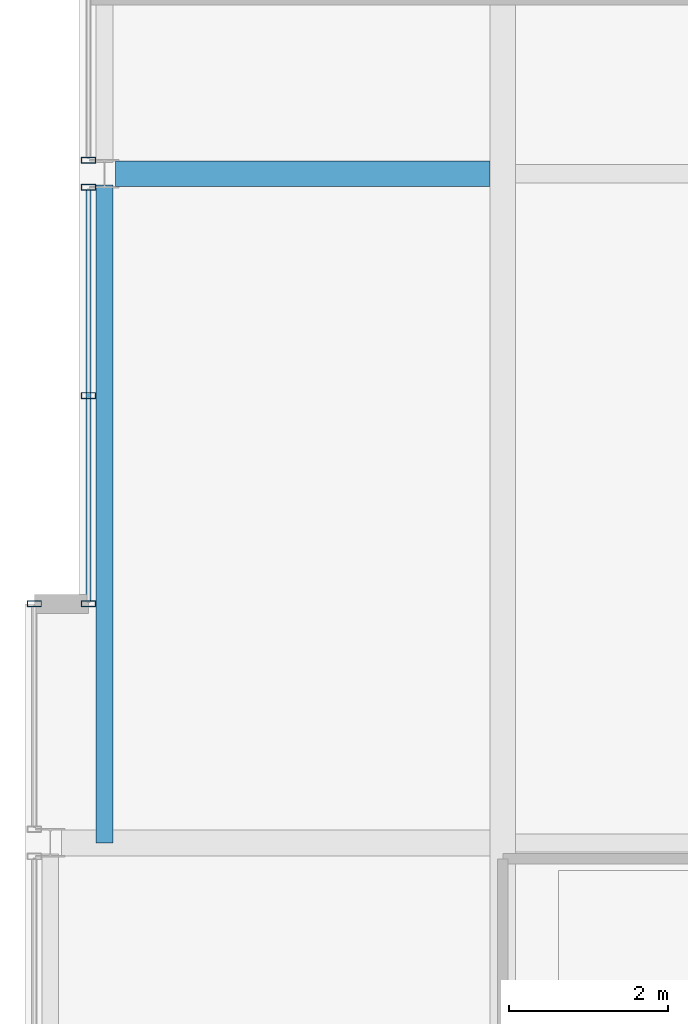
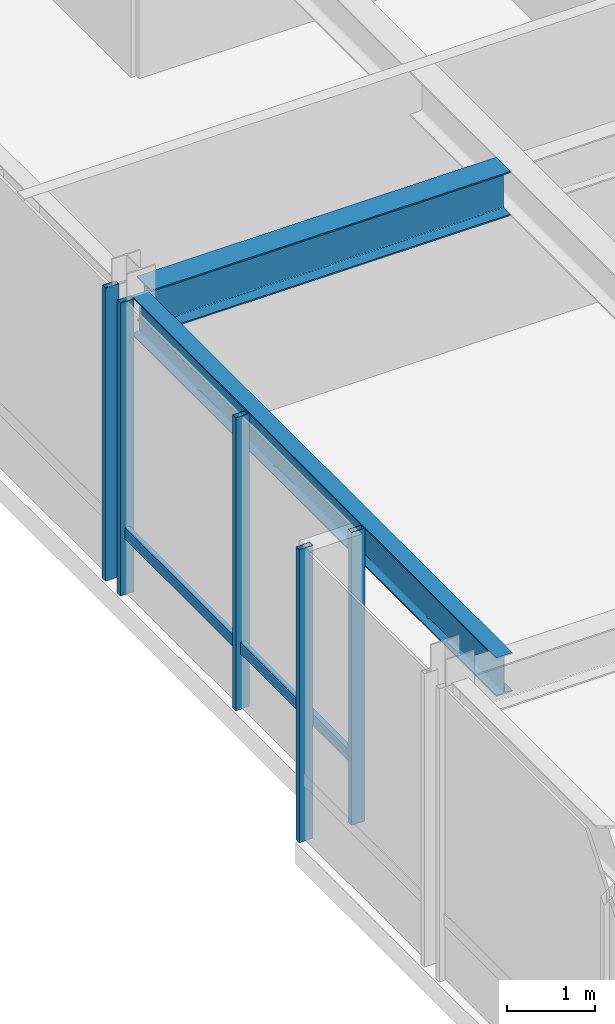
# One storey, part 12 of 33: 6 members, 2 beams, 3 elements without a shape of their own.
"""IFC4 building model written with IfcOpenShell, lengths in metres."""

import ifcopenshell
import ifcopenshell.guid

model = None  # the IFC model being written
_history = None  # IfcOwnerHistory: only IFC2X3 demands one
_inside = {}  # id of a spatial element -> (the spatial element, [elements in it])
_under = {}  # id of a project, library or spatial element -> (it, [spatial elements below it])
_declared = {}  # id of a project -> (the project, [libraries it declares])
_typed = {}  # id of a type object -> (the type object, [elements of that type])
_made_of = {}  # id of a material, layer set ... -> (it, [elements and type objects made of it])


def new_model(schema):
    """Start an empty IFC model of exactly this schema.

    Asked for "IFC4X3", IfcOpenShell would pick the latest addendum, in which some entities
    have other attributes; the version numbers below select the first issue.
    IFC2X3 requires an IfcOwnerHistory on every rooted entity: one is made here for all.
    """
    global model, _history
    if schema == "IFC4X3":
        model = ifcopenshell.file(schema_version=(4, 3, 0, 0))
    else:
        model = ifcopenshell.file(schema=schema)
    _inside.clear()
    _under.clear()
    _declared.clear()
    _typed.clear()
    _made_of.clear()
    _history = None
    if model.schema == "IFC2X3":
        org = make("IfcOrganization", Name="unknown")
        user = make(
            "IfcPersonAndOrganization",
            ThePerson=make("IfcPerson", FamilyName="unknown"),
            TheOrganization=org,
        )
        app = make(
            "IfcApplication",
            ApplicationDeveloper=org,
            Version="unknown",
            ApplicationFullName="unknown",
            ApplicationIdentifier="unknown",
        )
        _history = make(
            "IfcOwnerHistory",
            OwningUser=user,
            OwningApplication=app,
            ChangeAction="ADDED",
            CreationDate=0,
        )
    return model


def make(cls, **values):
    """One entity of the class cls with the attributes given. An attribute that is None is left unset."""
    return model.create_entity(
        cls, **{name: value for name, value in values.items() if value is not None}
    )


def rooted(cls, **values):
    """An entity with a GlobalId (a new one), such as an element, a storey or a relation."""
    return make(cls, GlobalId=ifcopenshell.guid.new(), OwnerHistory=_history, **values)


def si_unit(unit_type, name, prefix=None):
    """IfcSIUnit, for example si_unit("LENGTHUNIT", "METRE", prefix="MILLI")."""
    return make("IfcSIUnit", UnitType=unit_type, Prefix=prefix, Name=name)


def assignment(units):
    """IfcUnitAssignment: the units of a project."""
    return None if units is None else make("IfcUnitAssignment", Units=units)


def point(xyz):
    """IfcCartesianPoint."""
    return None if xyz is None else make("IfcCartesianPoint", Coordinates=xyz)


def direction(xyz):
    """IfcDirection."""
    return None if xyz is None else make("IfcDirection", DirectionRatios=xyz)


def frame(location, z_axis=None, x_axis=None):
    """IfcAxis2Placement3D, a coordinate frame: its origin and axes. An axis left out is left unset."""
    return make(
        "IfcAxis2Placement3D",
        Location=point(location),
        Axis=direction(z_axis),
        RefDirection=direction(x_axis),
    )


def frame_2d(location, x_axis=None):
    """IfcAxis2Placement2D, a coordinate frame in the plane: its origin and x axis."""
    return make(
        "IfcAxis2Placement2D", Location=point(location), RefDirection=direction(x_axis)
    )


def origin():
    """The frame at (0, 0, 0) with its axes left unset."""
    return frame((0.0, 0.0, 0.0))


def origin_2d():
    """The frame at (0, 0) in the plane with its x axis left unset."""
    return frame_2d((0.0, 0.0))


def place(relative_to, where):
    """IfcLocalPlacement: puts the frame where relative to a parent placement (None: the world)."""
    return make(
        "IfcLocalPlacement", PlacementRelTo=relative_to, RelativePlacement=where
    )


def context(
    kind, dimensions, precision=None, world=None, true_north=None, identifier=None
):
    """IfcGeometricRepresentationContext, for example the 3D "Model" context."""
    return make(
        "IfcGeometricRepresentationContext",
        ContextIdentifier=identifier,
        ContextType=kind,
        CoordinateSpaceDimension=dimensions,
        Precision=precision,
        WorldCoordinateSystem=world,
        TrueNorth=true_north,
    )


def subcontext(parent, identifier, kind, view, scale=None):
    """IfcGeometricRepresentationSubContext, for example "Body" below "Model"."""
    return make(
        "IfcGeometricRepresentationSubContext",
        ContextIdentifier=identifier,
        ContextType=kind,
        ParentContext=parent,
        TargetScale=scale,
        TargetView=view,
    )


def project(units=None, contexts=None):
    """IfcProject with its units and contexts."""
    return rooted(
        "IfcProject",
        Name="project",
        RepresentationContexts=contexts,
        UnitsInContext=assignment(units),
    )


def spatial(cls, under=None, at=None, **own):
    """A site, building, storey or space (cls), placed at a placement, below another one or the project."""
    s = rooted(cls, ObjectPlacement=at, **own)
    if under is not None:
        _under.setdefault(under.id(), (under, []))[1].append(s)
    return s


def profile(cls, at=None, kind="AREA", **sizes):
    """A parametric profile (cls). Its sizes go by their IFC names, for example OverallWidth=200.0."""
    return make(cls, ProfileType=kind, Position=at, **sizes)


def hollow_rectangle(**sizes):
    """IfcRectangleHollowProfileDef."""
    return profile("IfcRectangleHollowProfileDef", **sizes)


def i_section(**sizes):
    """IfcIShapeProfileDef."""
    return profile("IfcIShapeProfileDef", **sizes)


def extrude(swept, where, along, depth):
    """IfcExtrudedAreaSolid: the profile swept, set in the frame where, extruded along a direction by depth."""
    return make(
        "IfcExtrudedAreaSolid",
        SweptArea=swept,
        Position=where,
        ExtrudedDirection=direction(along),
        Depth=depth,
    )


def shape(context_of_items, identifier, shape_type, items):
    """IfcShapeRepresentation: the items that make up one representation, for example the "Body"."""
    return make(
        "IfcShapeRepresentation",
        ContextOfItems=context_of_items,
        RepresentationIdentifier=identifier,
        RepresentationType=shape_type,
        Items=items,
    )


def material(Name=None, Category=None):
    """IfcMaterial."""
    return make("IfcMaterial", Name=Name, Category=Category)


def layer(
    of_material, thickness, ventilated=None, Name=None, Category=None, Priority=None
):
    """IfcMaterialLayer: one layer of a wall or slab, of a material (None: an air gap)."""
    return make(
        "IfcMaterialLayer",
        Material=of_material,
        LayerThickness=thickness,
        IsVentilated=ventilated,
        Name=Name,
        Category=Category,
        Priority=Priority,
    )


def layer_set(layers, Name=None):
    """IfcMaterialLayerSet."""
    return make("IfcMaterialLayerSet", MaterialLayers=layers, LayerSetName=Name)


def material_profile(
    of_material, cross_section, Name=None, Category=None, Priority=None
):
    """IfcMaterialProfile: a cross section and its material."""
    return make(
        "IfcMaterialProfile",
        Name=Name,
        Material=of_material,
        Profile=cross_section,
        Priority=Priority,
        Category=Category,
    )


def profile_set(profiles, Name=None, composite=None):
    """IfcMaterialProfileSet."""
    return make(
        "IfcMaterialProfileSet",
        Name=Name,
        MaterialProfiles=profiles,
        CompositeProfile=composite,
    )


def made_of(thing, what):
    """Note that an element or type object is made of a material, layer set ...; save() writes the relation."""
    if what is not None:
        _made_of.setdefault(what.id(), (what, []))[1].append(thing)
    return thing


def type_object(cls, material=None, **own):
    """A type object (cls), such as IfcWallType, which elements share."""
    return made_of(rooted(cls, **own), material)


def element(
    cls,
    number,
    at=None,
    inside=None,
    cuts=None,
    type_object=None,
    material=None,
    context=None,
    identifier="Body",
    shape_type=None,
    held_by="IfcProductDefinitionShape",
    body=None,
    shapes=None,
    **own,
):
    """One element of the class cls, such as IfcWall. Its Tag is "e" and its number.

    at: its placement. inside: the storey or other place that contains it. cuts: it is an
    opening in that element (IfcRelVoidsElement). A single representation is given by context,
    identifier, shape_type and body (its items); several are given by shapes. held_by: the class
    of the entity that holds the representations. save() writes the other relations.
    """
    e = rooted(cls, Tag="e%d" % number, ObjectPlacement=at, **own)
    if body is not None:
        shapes = [shape(context, identifier, shape_type, body)]
    if shapes is not None:
        e.Representation = make(held_by, Representations=shapes)
    if inside is not None:
        _inside.setdefault(inside.id(), (inside, []))[1].append(e)
    if cuts is not None:
        rooted(
            "IfcRelVoidsElement", RelatingBuildingElement=cuts, RelatedOpeningElement=e
        )
    if type_object is not None:
        _typed.setdefault(type_object.id(), (type_object, []))[1].append(e)
    return made_of(e, material)


def aggregate(whole, parts):
    """IfcRelAggregates: a whole, such as a stair, and the parts it consists of."""
    return rooted("IfcRelAggregates", RelatingObject=whole, RelatedObjects=parts)


def save(model, path):
    """Write the relations noted so far, then the file.

    IfcRelAggregates (storeys below a building ...), IfcRelContainedInSpatialStructure (elements
    in a storey), IfcRelDefinesByType, IfcRelAssociatesMaterial and IfcRelDeclares: one each for
    every whole, place, type object, material and project.
    """
    for whole, parts in _under.values():
        aggregate(whole, parts)
    for where, things in _inside.values():
        rooted(
            "IfcRelContainedInSpatialStructure",
            RelatedElements=things,
            RelatingStructure=where,
        )
    for kind, things in _typed.values():
        rooted("IfcRelDefinesByType", RelatedObjects=things, RelatingType=kind)
    for what, things in _made_of.values():
        rooted("IfcRelAssociatesMaterial", RelatedObjects=things, RelatingMaterial=what)
    for by, libraries in _declared.values():
        rooted("IfcRelDeclares", RelatingContext=by, RelatedDefinitions=libraries)
    model.write(path)


model = new_model("IFC4")

# Units and contexts
model_context = context("Model", 3, precision=1e-05, world=origin(), true_north=direction((0.0, 1.0)))
body_context = subcontext(model_context, "Body", "Model", "MODEL_VIEW")
ifc_project = project(units=[si_unit("LENGTHUNIT", "METRE"), si_unit("AREAUNIT", "SQUARE_METRE"), si_unit("VOLUMEUNIT", "CUBIC_METRE"), si_unit("PLANEANGLEUNIT", "RADIAN"), si_unit("MASSUNIT", "GRAM", prefix="KILO")], contexts=[model_context])

# Site, building, storey
site_placement = place(None, origin())
site = spatial("IfcSite", under=ifc_project, at=site_placement, CompositionType="ELEMENT")
building_placement = place(site_placement, origin())
building = spatial("IfcBuilding", under=site, at=building_placement, Name="Drelvath Grand Hotel", CompositionType="ELEMENT")
storey_placement = place(building_placement, frame((0.0, 0.0, 298.60009765625)))
storey = spatial("IfcBuildingStorey", under=building, at=storey_placement, Name="L78", CompositionType="ELEMENT", Elevation=298.60009765625)

# Curtain wall, member
ifc_material_1 = material(Name="Platinum-Mist Anodised Aluminium Frame", Category="aluminium")
ifc_layer = layer(ifc_material_1, 0.199951171875)
ifc_layer_set = layer_set([ifc_layer], Name="Platinum-Mist Anodised Aluminium Frame")
curtain_wall_type = type_object("IfcCurtainWallType", Name="Stick Curtain Wall CW-05 Platinum Mist High-Rise", PredefinedType="NOTDEFINED", material=ifc_layer_set)
curtain_wall_1_placement = place(storey_placement, origin())
curtain_wall_1 = element("IfcCurtainWall", 1, at=curtain_wall_1_placement, inside=storey, type_object=curtain_wall_type, Name="L78 CW-05 Curtain Wall CW05-L78-WM1", PredefinedType="NOTDEFINED")
ifc_material_profile_1 = material_profile(ifc_material_1, hollow_rectangle(XDim=0.06494140625, YDim=0.159912109375, WallThickness=0.00390625, at=origin_2d()), Name="HSS160X65X4")
ifc_profile_set_1 = profile_set([ifc_material_profile_1], Name="Platinum-Mist Anodised Aluminium Frame")
member_type_1 = type_object("IfcMemberType", Name="Curtain Wall Horizontal Transom CW-05 HSS160X65X4", PredefinedType="USERDEFINED", material=ifc_profile_set_1)
member_1_placement = place(storey_placement, frame((-21.39990234375, 21.639892578125, 0.849853515625), z_axis=(0.0, 1.0, 0.0), x_axis=(-1.0, 0.0, 0.0)))
member_1 = element("IfcMember", 2, at=member_1_placement, type_object=member_type_1, Name="CW05-L78-WM1 Sill Transom", ObjectType="TRANSOM", PredefinedType="USERDEFINED", context=body_context, shape_type="SweptSolid", body=[
    extrude(hollow_rectangle(XDim=0.06494140625, YDim=0.159912109375, WallThickness=0.00390625, at=origin_2d()), origin(), (0.0, 0.0, 1.0), 5.150146484375),
])

curtain_wall_2_placement = place(storey_placement, origin())
curtain_wall_2 = element("IfcCurtainWall", 3, at=curtain_wall_2_placement, inside=storey, type_object=curtain_wall_type, Name="L78 CW-05 Curtain Wall CW05-L78-WS2", PredefinedType="NOTDEFINED")
ifc_material_profile_2 = material_profile(ifc_material_1, hollow_rectangle(XDim=0.074951171875, YDim=0.179931640625, WallThickness=0.0048828125, at=origin_2d()), Name="HSS180X75X5")
ifc_profile_set_2 = profile_set([ifc_material_profile_2], Name="Platinum-Mist Anodised Aluminium Frame")
member_type_2 = type_object("IfcMemberType", Name="Curtain Wall Vertical Mullion CW-05 HSS180X75X5", PredefinedType="MULLION", material=ifc_profile_set_2)
member_2_placement = place(storey_placement, frame((-22.080078125, 21.60009765625, 0.0), z_axis=(0.0, 0.0, 1.0), x_axis=(0.0, 1.0, 0.0)))
member_2 = element("IfcMember", 4, at=member_2_placement, type_object=member_type_2, Name="CW05-L78-WS2 Mullion 2", PredefinedType="MULLION", context=body_context, shape_type="SweptSolid", body=[
    extrude(hollow_rectangle(XDim=0.074951171875, YDim=0.179931640625, WallThickness=0.0048828125, at=origin_2d()), origin(), (0.0, 0.0, 1.0), 4.0498046875),
])
aggregate(curtain_wall_2, [member_2])

# Member
member_3_placement = place(storey_placement, frame((-21.39990234375, 21.60009765625, 0.0), z_axis=(0.0, 0.0, 1.0), x_axis=(0.0, 1.0, 0.0)))
member_3 = element("IfcMember", 5, at=member_3_placement, type_object=member_type_2, Name="CW05-L78-WM1 Mullion 1", PredefinedType="MULLION", context=body_context, shape_type="SweptSolid", body=[
    extrude(hollow_rectangle(XDim=0.074951171875, YDim=0.179931640625, WallThickness=0.0048828125, at=origin_2d()), origin(), (0.0, 0.0, 1.0), 4.0498046875),
])

member_4_placement = place(storey_placement, frame((-21.39990234375, 24.215087890625, 0.0), z_axis=(0.0, 0.0, 1.0), x_axis=(0.0, 1.0, 0.0)))
member_4 = element("IfcMember", 6, at=member_4_placement, type_object=member_type_2, Name="CW05-L78-WM1 Mullion 2", PredefinedType="MULLION", context=body_context, shape_type="SweptSolid", body=[
    extrude(hollow_rectangle(XDim=0.074951171875, YDim=0.179931640625, WallThickness=0.0048828125, at=origin_2d()), origin(), (0.0, 0.0, 1.0), 4.0498046875),
])

member_5_placement = place(storey_placement, frame((-21.39990234375, 26.830078125, 0.0), z_axis=(0.0, 0.0, 1.0), x_axis=(0.0, 1.0, 0.0)))
member_5 = element("IfcMember", 7, at=member_5_placement, type_object=member_type_2, Name="CW05-L78-WM1 Mullion 3", PredefinedType="MULLION", context=body_context, shape_type="SweptSolid", body=[
    extrude(hollow_rectangle(XDim=0.074951171875, YDim=0.179931640625, WallThickness=0.0048828125, at=origin_2d()), origin(), (0.0, 0.0, 1.0), 4.0498046875),
])

aggregate(curtain_wall_1, [member_3, member_4, member_5, member_1])

# Curtain wall, member
curtain_wall_3_placement = place(storey_placement, origin())
curtain_wall_3 = element("IfcCurtainWall", 8, at=curtain_wall_3_placement, inside=storey, type_object=curtain_wall_type, Name="L78 CW-05 Curtain Wall CW05-L78-WM2", PredefinedType="NOTDEFINED")
member_6_placement = place(storey_placement, frame((-21.39990234375, 27.169921875, 0.0), z_axis=(0.0, 0.0, 1.0), x_axis=(0.0, 1.0, 0.0)))
member_6 = element("IfcMember", 9, at=member_6_placement, type_object=member_type_2, Name="CW05-L78-WM2 Mullion 1", PredefinedType="MULLION", context=body_context, shape_type="SweptSolid", body=[
    extrude(hollow_rectangle(XDim=0.074951171875, YDim=0.179931640625, WallThickness=0.0048828125, at=origin_2d()), origin(), (0.0, 0.0, 1.0), 4.0498046875),
])
aggregate(curtain_wall_3, [member_6])

# Beams
ifc_material_2 = material(Name="Steel ASTM A992 Gr 50", Category="steel")
ifc_material_profile_3 = material_profile(ifc_material_2, i_section(OverallWidth=0.210205078125, OverallDepth=0.53662109375, WebThickness=0.010986328125, FlangeThickness=0.017333984375, FilletRadius=0.01806640625, at=origin_2d()), Name="W21X68")
ifc_profile_set_3 = profile_set([ifc_material_profile_3], Name="Steel ASTM A992 Gr 50")
beam_type_1 = type_object("IfcBeamType", Name="Perimeter Spandrel Beam W21X68", PredefinedType="SPANDREL", material=ifc_profile_set_3)
beam_1_placement = place(storey_placement, frame((-21.199951171875, 18.60009765625, 3.781494140625), z_axis=(0.0, 1.0, 0.0), x_axis=(-1.0, 0.0, 0.0)))
element("IfcBeam", 10, at=beam_1_placement, inside=storey, type_object=beam_type_1, Name="L78 Spandrel West Mid S", PredefinedType="SPANDREL", context=body_context, shape_type="SweptSolid", body=[
    extrude(i_section(OverallWidth=0.210205078125, OverallDepth=0.53662109375, WebThickness=0.010986328125, FlangeThickness=0.017333984375, FilletRadius=0.01806640625, at=origin_2d()), origin(), (0.0, 0.0, 1.0), 8.260009765625),
])
ifc_material_profile_4 = material_profile(ifc_material_2, i_section(OverallWidth=0.323974609375, OverallDepth=0.611083984375, WebThickness=0.0126953125, FlangeThickness=0.01904296875, FilletRadius=0.02197265625, at=origin_2d()), Name="W24X104")
ifc_profile_set_4 = profile_set([ifc_material_profile_4], Name="Steel ASTM A992 Gr 50")
beam_type_2 = type_object("IfcBeamType", Name="Primary Floor Girder W24X104", PredefinedType="BEAM", material=ifc_profile_set_4)
beam_2_placement = place(storey_placement, frame((-21.06005859375, 27.0, 3.744384765625), z_axis=(1.0, 0.0, 0.0), x_axis=(0.0, 1.0, 0.0)))
element("IfcBeam", 11, at=beam_2_placement, inside=storey, type_object=beam_type_2, Name="L78 West Wing Girder E", PredefinedType="BEAM", context=body_context, shape_type="SweptSolid", body=[
    extrude(i_section(OverallWidth=0.323974609375, OverallDepth=0.611083984375, WebThickness=0.0126953125, FlangeThickness=0.01904296875, FilletRadius=0.02197265625, at=origin_2d()), origin(), (0.0, 0.0, 1.0), 4.697998046875),
])

save(model, "model.ifc")
